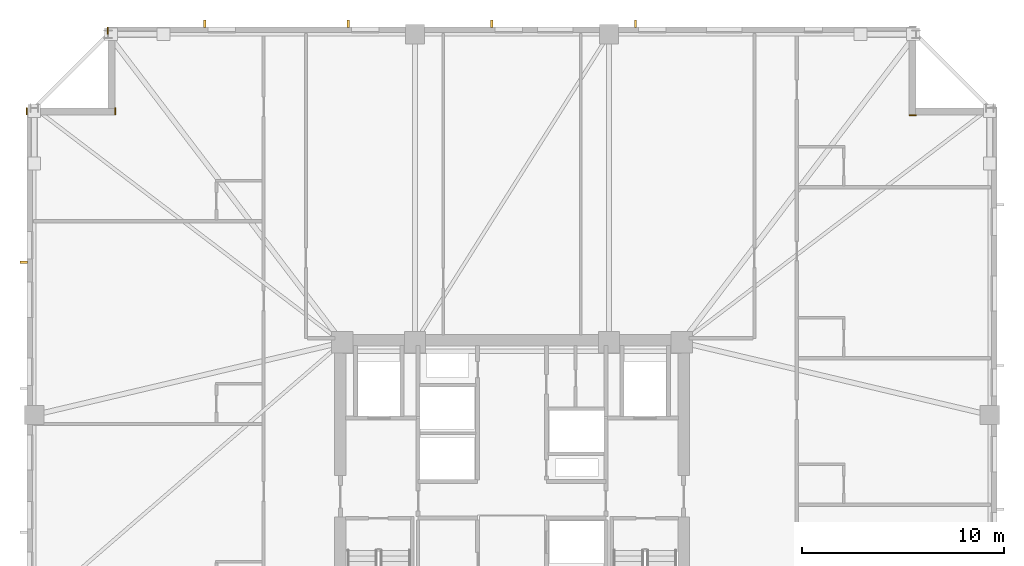
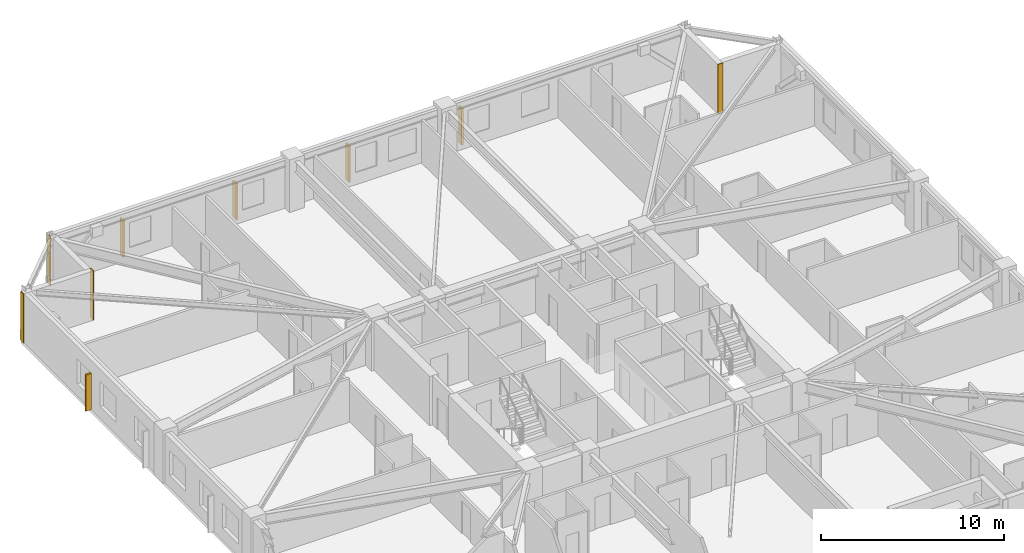
# One storey, part 10 of 11: 5 shading devices, 4 coverings.
"""IFC4 building model written with IfcOpenShell, lengths in metres."""

from ifc_helpers import new_model, si_unit, direction, frame, frame_2d, origin, origin_2d, place, context, subcontext, project, spatial, rectangle, extrude, material, layer, layer_set, type_object, element, save


model = new_model("IFC4")

# Units and contexts
model_context = context("Model", 3, precision=1e-05, world=origin(), true_north=direction((0.0, 1.0)))
body_context = subcontext(model_context, "Body", "Model", "MODEL_VIEW")
ifc_project = project(units=[si_unit("LENGTHUNIT", "METRE"), si_unit("AREAUNIT", "SQUARE_METRE"), si_unit("VOLUMEUNIT", "CUBIC_METRE"), si_unit("PLANEANGLEUNIT", "RADIAN"), si_unit("MASSUNIT", "GRAM", prefix="KILO")], contexts=[model_context])

# Site, building, storey
site_placement = place(None, origin())
site = spatial("IfcSite", under=ifc_project, at=site_placement, CompositionType="ELEMENT")
building_placement = place(site_placement, origin())
building = spatial("IfcBuilding", under=site, at=building_placement, Name="Cairnveth Concourse Tower", CompositionType="ELEMENT")
storey_placement = place(building_placement, frame((0.0, 0.0, 169.0)))
storey = spatial("IfcBuildingStorey", under=building, at=storey_placement, Name="L46", CompositionType="ELEMENT", Elevation=169.0)

# Coverings
ifc_material_1 = material(Name="Dressed Melbourne Bluestone Cladding", Category="masonry")
ifc_layer = layer(ifc_material_1, 0.050048828125)
ifc_layer_set = layer_set([ifc_layer], Name="Dressed Melbourne Bluestone Cladding")
covering_type = type_object("IfcCoveringType", Name="DRESSED BLUESTONE PLINTH CLADDING 50", PredefinedType="CLADDING", material=ifc_layer_set)
for number, where, z_axis, x_axis, name in (
    (1, (27.97998046875, 58.659912109375, 0.0), (0.0, 0.0, 1.0), (0.0, 1.0, 0.0), "Melbourne Bluestone Corner Quoin L46-679"),
    (2, (32.360107421875, 58.659912109375, 0.0), (0.0, 0.0, 1.0), (0.0, 1.0, 0.0), "Melbourne Bluestone Corner Quoin L46-680"),
    (3, (31.97998046875, 62.659912109375, 0.0), (0.0, 0.0, 1.0), (0.0, 1.0, 0.0), "Melbourne Bluestone Corner Quoin L46-681"),
    (4, (71.659912109375, 58.639892578125, 0.0), (0.0, 0.0, 1.0), (1.0, 0.0, 0.0), "Melbourne Bluestone Corner Quoin L46-683"),
):
    element("IfcCovering", number, at=place(storey_placement, frame(where, z_axis=z_axis, x_axis=x_axis)), inside=storey, type_object=covering_type, Name=name, PredefinedType="CLADDING", context=body_context, shape_type="SweptSolid", body=[
        extrude(rectangle(XDim=0.340087890625, YDim=0.050048828125, at=frame_2d((0.169921875, 0.0))), origin(), (0.0, 0.0, 1.0), 3.280029296875),
    ])

# Shading devices
ifc_material_2 = material(Name="Architectural Bronze Anodised Aluminium 6063-T6", Category="aluminium")
shading_device_type = type_object("IfcShadingDeviceType", Name="GOTHIC BRONZE VERTICAL LANCET FIN", PredefinedType="USERDEFINED", material=ifc_material_2)
for number, where, z_axis, x_axis, name in (
    (5, (27.824951171875, 51.3701171875, 0.030029296875), (0.0, 0.0, 1.0), (0.0, 1.0, 0.0), "Gothic Bronze Vertical Fin L46-3-9"),
    (6, (36.791748046875, 63.175048828125, 0.030029296875), (0.0, 0.0, 1.0), (1.0, 0.0, 0.0), "Gothic Bronze Vertical Fin L46-6-1"),
    (7, (43.89892578125, 63.175048828125, 0.030029296875), (0.0, 0.0, 1.0), (1.0, 0.0, 0.0), "Gothic Bronze Vertical Fin L46-6-3"),
    (8, (51.006103515625, 63.175048828125, 0.030029296875), (0.0, 0.0, 1.0), (1.0, 0.0, 0.0), "Gothic Bronze Vertical Fin L46-6-5"),
    (9, (58.113037109375, 63.175048828125, 0.030029296875), (0.0, 0.0, 1.0), (1.0, 0.0, 0.0), "Gothic Bronze Vertical Fin L46-6-7"),
):
    element("IfcShadingDevice", number, at=place(storey_placement, frame(where, z_axis=z_axis, x_axis=x_axis)), inside=storey, type_object=shading_device_type, Name=name, ObjectType="VERTICAL FIN", PredefinedType="USERDEFINED", context=body_context, shape_type="SweptSolid", body=[
        extrude(rectangle(XDim=0.1201171875, YDim=0.360107421875, at=origin_2d()), origin(), (0.0, 0.0, 1.0), 2.419921875),
    ])

save(model, "model.ifc")
